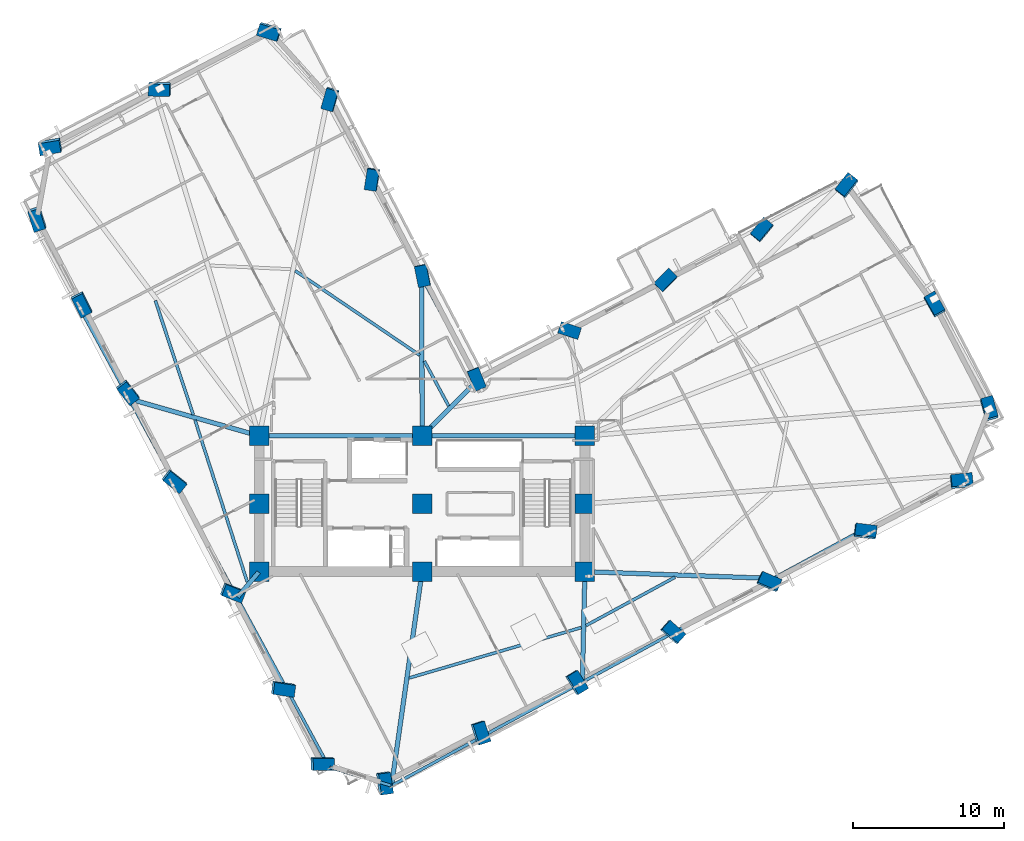
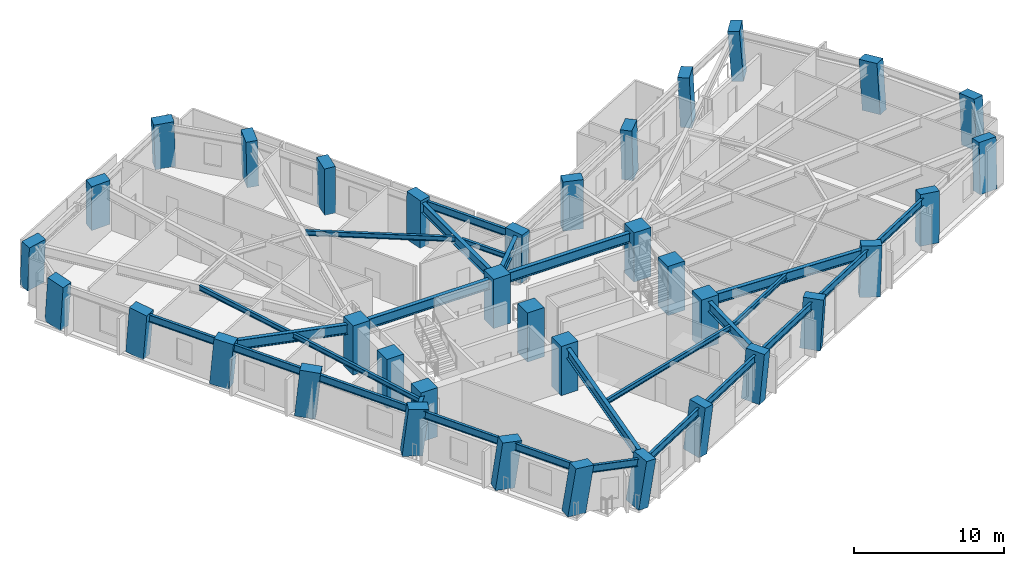
# One storey, part 1 of 16: 36 columns, 27 beams.
"""IFC4 building model written with IfcOpenShell, lengths in metres."""

import ifcopenshell
import ifcopenshell.guid

model = None  # the IFC model being written
_history = None  # IfcOwnerHistory: only IFC2X3 demands one
_inside = {}  # id of a spatial element -> (the spatial element, [elements in it])
_under = {}  # id of a project, library or spatial element -> (it, [spatial elements below it])
_declared = {}  # id of a project -> (the project, [libraries it declares])
_typed = {}  # id of a type object -> (the type object, [elements of that type])
_made_of = {}  # id of a material, layer set ... -> (it, [elements and type objects made of it])


def new_model(schema):
    """Start an empty IFC model of exactly this schema.

    Asked for "IFC4X3", IfcOpenShell would pick the latest addendum, in which some entities
    have other attributes; the version numbers below select the first issue.
    IFC2X3 requires an IfcOwnerHistory on every rooted entity: one is made here for all.
    """
    global model, _history
    if schema == "IFC4X3":
        model = ifcopenshell.file(schema_version=(4, 3, 0, 0))
    else:
        model = ifcopenshell.file(schema=schema)
    _inside.clear()
    _under.clear()
    _declared.clear()
    _typed.clear()
    _made_of.clear()
    _history = None
    if model.schema == "IFC2X3":
        org = make("IfcOrganization", Name="unknown")
        user = make(
            "IfcPersonAndOrganization",
            ThePerson=make("IfcPerson", FamilyName="unknown"),
            TheOrganization=org,
        )
        app = make(
            "IfcApplication",
            ApplicationDeveloper=org,
            Version="unknown",
            ApplicationFullName="unknown",
            ApplicationIdentifier="unknown",
        )
        _history = make(
            "IfcOwnerHistory",
            OwningUser=user,
            OwningApplication=app,
            ChangeAction="ADDED",
            CreationDate=0,
        )
    return model


def make(cls, **values):
    """One entity of the class cls with the attributes given. An attribute that is None is left unset."""
    return model.create_entity(
        cls, **{name: value for name, value in values.items() if value is not None}
    )


def rooted(cls, **values):
    """An entity with a GlobalId (a new one), such as an element, a storey or a relation."""
    return make(cls, GlobalId=ifcopenshell.guid.new(), OwnerHistory=_history, **values)


def si_unit(unit_type, name, prefix=None):
    """IfcSIUnit, for example si_unit("LENGTHUNIT", "METRE", prefix="MILLI")."""
    return make("IfcSIUnit", UnitType=unit_type, Prefix=prefix, Name=name)


def assignment(units):
    """IfcUnitAssignment: the units of a project."""
    return None if units is None else make("IfcUnitAssignment", Units=units)


def point(xyz):
    """IfcCartesianPoint."""
    return None if xyz is None else make("IfcCartesianPoint", Coordinates=xyz)


def direction(xyz):
    """IfcDirection."""
    return None if xyz is None else make("IfcDirection", DirectionRatios=xyz)


def frame(location, z_axis=None, x_axis=None):
    """IfcAxis2Placement3D, a coordinate frame: its origin and axes. An axis left out is left unset."""
    return make(
        "IfcAxis2Placement3D",
        Location=point(location),
        Axis=direction(z_axis),
        RefDirection=direction(x_axis),
    )


def frame_2d(location, x_axis=None):
    """IfcAxis2Placement2D, a coordinate frame in the plane: its origin and x axis."""
    return make(
        "IfcAxis2Placement2D", Location=point(location), RefDirection=direction(x_axis)
    )


def origin():
    """The frame at (0, 0, 0) with its axes left unset."""
    return frame((0.0, 0.0, 0.0))


def origin_2d():
    """The frame at (0, 0) in the plane with its x axis left unset."""
    return frame_2d((0.0, 0.0))


def place(relative_to, where):
    """IfcLocalPlacement: puts the frame where relative to a parent placement (None: the world)."""
    return make(
        "IfcLocalPlacement", PlacementRelTo=relative_to, RelativePlacement=where
    )


def context(
    kind, dimensions, precision=None, world=None, true_north=None, identifier=None
):
    """IfcGeometricRepresentationContext, for example the 3D "Model" context."""
    return make(
        "IfcGeometricRepresentationContext",
        ContextIdentifier=identifier,
        ContextType=kind,
        CoordinateSpaceDimension=dimensions,
        Precision=precision,
        WorldCoordinateSystem=world,
        TrueNorth=true_north,
    )


def subcontext(parent, identifier, kind, view, scale=None):
    """IfcGeometricRepresentationSubContext, for example "Body" below "Model"."""
    return make(
        "IfcGeometricRepresentationSubContext",
        ContextIdentifier=identifier,
        ContextType=kind,
        ParentContext=parent,
        TargetScale=scale,
        TargetView=view,
    )


def project(units=None, contexts=None):
    """IfcProject with its units and contexts."""
    return rooted(
        "IfcProject",
        Name="project",
        RepresentationContexts=contexts,
        UnitsInContext=assignment(units),
    )


def spatial(cls, under=None, at=None, **own):
    """A site, building, storey or space (cls), placed at a placement, below another one or the project."""
    s = rooted(cls, ObjectPlacement=at, **own)
    if under is not None:
        _under.setdefault(under.id(), (under, []))[1].append(s)
    return s


def profile(cls, at=None, kind="AREA", **sizes):
    """A parametric profile (cls). Its sizes go by their IFC names, for example OverallWidth=200.0."""
    return make(cls, ProfileType=kind, Position=at, **sizes)


def rectangle(**sizes):
    """IfcRectangleProfileDef."""
    return profile("IfcRectangleProfileDef", **sizes)


def i_section(**sizes):
    """IfcIShapeProfileDef."""
    return profile("IfcIShapeProfileDef", **sizes)


def extrude(swept, where, along, depth):
    """IfcExtrudedAreaSolid: the profile swept, set in the frame where, extruded along a direction by depth."""
    return make(
        "IfcExtrudedAreaSolid",
        SweptArea=swept,
        Position=where,
        ExtrudedDirection=direction(along),
        Depth=depth,
    )


def shape(context_of_items, identifier, shape_type, items):
    """IfcShapeRepresentation: the items that make up one representation, for example the "Body"."""
    return make(
        "IfcShapeRepresentation",
        ContextOfItems=context_of_items,
        RepresentationIdentifier=identifier,
        RepresentationType=shape_type,
        Items=items,
    )


def material(Name=None, Category=None):
    """IfcMaterial."""
    return make("IfcMaterial", Name=Name, Category=Category)


def material_profile(
    of_material, cross_section, Name=None, Category=None, Priority=None
):
    """IfcMaterialProfile: a cross section and its material."""
    return make(
        "IfcMaterialProfile",
        Name=Name,
        Material=of_material,
        Profile=cross_section,
        Priority=Priority,
        Category=Category,
    )


def profile_set(profiles, Name=None, composite=None):
    """IfcMaterialProfileSet."""
    return make(
        "IfcMaterialProfileSet",
        Name=Name,
        MaterialProfiles=profiles,
        CompositeProfile=composite,
    )


def made_of(thing, what):
    """Note that an element or type object is made of a material, layer set ...; save() writes the relation."""
    if what is not None:
        _made_of.setdefault(what.id(), (what, []))[1].append(thing)
    return thing


def type_object(cls, material=None, **own):
    """A type object (cls), such as IfcWallType, which elements share."""
    return made_of(rooted(cls, **own), material)


def element(
    cls,
    number,
    at=None,
    inside=None,
    cuts=None,
    type_object=None,
    material=None,
    context=None,
    identifier="Body",
    shape_type=None,
    held_by="IfcProductDefinitionShape",
    body=None,
    shapes=None,
    **own,
):
    """One element of the class cls, such as IfcWall. Its Tag is "e" and its number.

    at: its placement. inside: the storey or other place that contains it. cuts: it is an
    opening in that element (IfcRelVoidsElement). A single representation is given by context,
    identifier, shape_type and body (its items); several are given by shapes. held_by: the class
    of the entity that holds the representations. save() writes the other relations.
    """
    e = rooted(cls, Tag="e%d" % number, ObjectPlacement=at, **own)
    if body is not None:
        shapes = [shape(context, identifier, shape_type, body)]
    if shapes is not None:
        e.Representation = make(held_by, Representations=shapes)
    if inside is not None:
        _inside.setdefault(inside.id(), (inside, []))[1].append(e)
    if cuts is not None:
        rooted(
            "IfcRelVoidsElement", RelatingBuildingElement=cuts, RelatedOpeningElement=e
        )
    if type_object is not None:
        _typed.setdefault(type_object.id(), (type_object, []))[1].append(e)
    return made_of(e, material)


def aggregate(whole, parts):
    """IfcRelAggregates: a whole, such as a stair, and the parts it consists of."""
    return rooted("IfcRelAggregates", RelatingObject=whole, RelatedObjects=parts)


def save(model, path):
    """Write the relations noted so far, then the file.

    IfcRelAggregates (storeys below a building ...), IfcRelContainedInSpatialStructure (elements
    in a storey), IfcRelDefinesByType, IfcRelAssociatesMaterial and IfcRelDeclares: one each for
    every whole, place, type object, material and project.
    """
    for whole, parts in _under.values():
        aggregate(whole, parts)
    for where, things in _inside.values():
        rooted(
            "IfcRelContainedInSpatialStructure",
            RelatedElements=things,
            RelatingStructure=where,
        )
    for kind, things in _typed.values():
        rooted("IfcRelDefinesByType", RelatedObjects=things, RelatingType=kind)
    for what, things in _made_of.values():
        rooted("IfcRelAssociatesMaterial", RelatedObjects=things, RelatingMaterial=what)
    for by, libraries in _declared.values():
        rooted("IfcRelDeclares", RelatingContext=by, RelatedDefinitions=libraries)
    model.write(path)


model = new_model("IFC4")

# Units and contexts
model_context = context("Model", 3, precision=1e-05, world=origin(), true_north=direction((0.0, 1.0)))
body_context = subcontext(model_context, "Body", "Model", "MODEL_VIEW")
ifc_project = project(units=[si_unit("LENGTHUNIT", "METRE"), si_unit("AREAUNIT", "SQUARE_METRE"), si_unit("VOLUMEUNIT", "CUBIC_METRE"), si_unit("PLANEANGLEUNIT", "RADIAN"), si_unit("MASSUNIT", "GRAM", prefix="KILO")], contexts=[model_context])

# Site, building, storey
site_placement = place(None, origin())
site = spatial("IfcSite", under=ifc_project, at=site_placement, CompositionType="ELEMENT")
building_placement = place(site_placement, origin())
building = spatial("IfcBuilding", under=site, at=building_placement, Name="Gaonmaruhae Medical Tower", CompositionType="ELEMENT")
storey_placement = place(building_placement, frame((0.0, 0.0, 140.39990234375)))
storey = spatial("IfcBuildingStorey", under=building, at=storey_placement, Name="L33", CompositionType="ELEMENT", Elevation=140.39990234375)

# Columns
ifc_material_1 = material(Name="Concrete C60/75", Category="concrete")
ifc_material_profile_1 = material_profile(ifc_material_1, rectangle(XDim=1.300048828125, YDim=1.300048828125, at=origin_2d()), Name="RC-1300x1300")
ifc_profile_set_1 = profile_set([ifc_material_profile_1], Name="Concrete C60/75")
column_type_1 = type_object("IfcColumnType", Name="CC-03 Zone 2 Core Column (RC-1300x1300)", PredefinedType="COLUMN", material=ifc_profile_set_1)
for number, where, z_axis, x_axis, name in (
    (1, (14.0, 7.800048828125, 0.0), (0.0, 0.0, 1.0), (1.0, 0.0, 0.0), "L33 Plumb Core Column CC11"),
    (2, (14.0, 12.300048828125, 0.0), (0.0, 0.0, 1.0), (1.0, 0.0, 0.0), "L33 Plumb Core Column CC12"),
    (3, (14.0, 16.800048828125, 0.0), (0.0, 0.0, 1.0), (1.0, 0.0, 0.0), "L33 Plumb Core Column CC13"),
    (4, (24.800048828125, 7.800048828125, 0.0), (0.0, 0.0, 1.0), (1.0, 0.0, 0.0), "L33 Plumb Core Column CC21"),
    (5, (24.800048828125, 12.300048828125, 0.0), (0.0, 0.0, 1.0), (1.0, 0.0, 0.0), "L33 Plumb Core Column CC22"),
    (6, (24.800048828125, 16.800048828125, 0.0), (0.0, 0.0, 1.0), (1.0, 0.0, 0.0), "L33 Plumb Core Column CC23"),
    (7, (35.60009765625, 7.800048828125, 0.0), (0.0, 0.0, 1.0), (1.0, 0.0, 0.0), "L33 Plumb Core Column CC31"),
    (8, (35.60009765625, 12.300048828125, 0.0), (0.0, 0.0, 1.0), (1.0, 0.0, 0.0), "L33 Plumb Core Column CC32"),
    (9, (35.60009765625, 16.800048828125, 0.0), (0.0, 0.0, 1.0), (1.0, 0.0, 0.0), "L33 Plumb Core Column CC33"),
):
    element("IfcColumn", number, at=place(storey_placement, frame(where, z_axis=z_axis, x_axis=x_axis)), inside=storey, type_object=column_type_1, Name=name, PredefinedType="COLUMN", context=body_context, shape_type="SweptSolid", body=[
        extrude(rectangle(XDim=1.300048828125, YDim=1.300048828125, at=origin_2d()), origin(), (0.0, 0.0, 1.0), 4.0),
    ])
ifc_material_profile_2 = material_profile(ifc_material_1, rectangle(XDim=1.39990234375, YDim=0.800048828125, at=origin_2d()), Name="RC-1400x800")
ifc_profile_set_2 = profile_set([ifc_material_profile_2], Name="Concrete C60/75")
column_type_2 = type_object("IfcColumnType", Name="TC-02 Mid Raking Tube Pier Column (RC-1400x800)", PredefinedType="COLUMN", material=ifc_profile_set_2)
column_1_placement = place(storey_placement, frame((22.258056640625, -6.212646484375, 0.001953125), z_axis=(0.127771695905, -0.045544227202, 0.990757345213), x_axis=(-0.133960386109, 0.98899867646, 0.0627394048)))
element("IfcColumn", 10, at=column_1_placement, inside=storey, type_object=column_type_2, Name="L33 Perimeter Tube Column S01", PredefinedType="COLUMN", context=body_context, shape_type="SweptSolid", body=[
    extrude(rectangle(XDim=1.39990234375, YDim=0.800048828125, at=origin_2d()), origin(), (0.0, 0.0, 1.0), 3.93994140625),
])
column_2_placement = place(storey_placement, frame((28.6416015625, -2.88232421875, 0.001953125), z_axis=(0.114160529104, -0.019501391902, 0.993270894222), x_axis=(-0.303558811217, 0.951305765388, 0.053566676887)))
element("IfcColumn", 11, at=column_2_placement, inside=storey, type_object=column_type_2, Name="L33 Perimeter Tube Column S02", PredefinedType="COLUMN", context=body_context, shape_type="SweptSolid", body=[
    extrude(rectangle(XDim=1.39990234375, YDim=0.800048828125, at=origin_2d()), origin(), (0.0, 0.0, 1.0), 3.943603515625),
])
column_3_placement = place(storey_placement, frame((35.025146484375, 0.44775390625, 0.001953125), z_axis=(0.10037706971, 0.006741281946, 0.994926629955), x_axis=(-0.518552018438, 0.853779039419, 0.046531237063)))
element("IfcColumn", 12, at=column_3_placement, inside=storey, type_object=column_type_2, Name="L33 Perimeter Tube Column S03", PredefinedType="COLUMN", context=body_context, shape_type="SweptSolid", body=[
    extrude(rectangle(XDim=1.39990234375, YDim=0.800048828125, at=origin_2d()), origin(), (0.0, 0.0, 1.0), 3.947509765625),
])
column_4_placement = place(storey_placement, frame((41.40869140625, 3.778076171875, 0.001953125), z_axis=(0.086534580575, 0.032944951033, 0.995703970348), x_axis=(-0.745854703715, 0.664730498128, 0.042826694996)))
element("IfcColumn", 13, at=column_4_placement, inside=storey, type_object=column_type_2, Name="L33 Perimeter Tube Column S04", PredefinedType="COLUMN", context=body_context, shape_type="SweptSolid", body=[
    extrude(rectangle(XDim=1.39990234375, YDim=0.800048828125, at=origin_2d()), origin(), (0.0, 0.0, 1.0), 3.949951171875),
])
column_5_placement = place(storey_placement, frame((47.792236328125, 7.108154296875, 0.001953125), z_axis=(0.072571888614, 0.059157834245, 0.995607187414), x_axis=(-0.917117173623, 0.396258419421, 0.043305367841)))
element("IfcColumn", 14, at=column_5_placement, inside=storey, type_object=column_type_2, Name="L33 Perimeter Tube Column S05", PredefinedType="COLUMN", context=body_context, shape_type="SweptSolid", body=[
    extrude(rectangle(XDim=1.39990234375, YDim=0.800048828125, at=origin_2d()), origin(), (0.0, 0.0, 1.0), 3.949462890625),
])
column_6_placement = place(storey_placement, frame((54.17578125, 10.4384765625, 0.001953125), z_axis=(0.058518857575, 0.085303916063, 0.994635000999), x_axis=(-0.99135300538, 0.122188130648, 0.047846415258)))
element("IfcColumn", 15, at=column_6_placement, inside=storey, type_object=column_type_2, Name="L33 Perimeter Tube Column S06", PredefinedType="COLUMN", context=body_context, shape_type="SweptSolid", body=[
    extrude(rectangle(XDim=1.39990234375, YDim=0.800048828125, at=origin_2d()), origin(), (0.0, 0.0, 1.0), 3.94677734375),
])
column_7_placement = place(storey_placement, frame((60.559326171875, 13.7685546875, 0.001953125), z_axis=(0.044521459217, 0.111334608723, 0.992785195583), x_axis=(-0.993722335718, -0.097160543866, 0.055459428507)))
element("IfcColumn", 16, at=column_7_placement, inside=storey, type_object=column_type_2, Name="L33 Perimeter Tube Column S07", PredefinedType="COLUMN", context=body_context, shape_type="SweptSolid", body=[
    extrude(rectangle(XDim=1.39990234375, YDim=0.800048828125, at=origin_2d()), origin(), (0.0, 0.0, 1.0), 3.94287109375),
])
column_8_placement = place(storey_placement, frame((62.400146484375, 18.563720703125, 0.001953125), z_axis=(0.02468177893, 0.118746090067, 0.992617839797), x_axis=(0.273747681692, -0.955771527158, 0.107531365855)))
element("IfcColumn", 17, at=column_8_placement, inside=storey, type_object=column_type_2, Name="L33 Perimeter Tube Column E01", PredefinedType="COLUMN", context=body_context, shape_type="SweptSolid", body=[
    extrude(rectangle(XDim=1.39990234375, YDim=0.800048828125, at=origin_2d()), origin(), (0.0, 0.0, 1.0), 3.927001953125),
])
column_9_placement = place(storey_placement, frame((58.79248046875, 25.479248046875, 0.001953125), z_axis=(-0.003662273287, 0.103847173035, 0.994586523339), x_axis=(0.493313659409, -0.864958897802, 0.092128923543)))
element("IfcColumn", 18, at=column_9_placement, inside=storey, type_object=column_type_2, Name="L33 Perimeter Tube Column E02", PredefinedType="COLUMN", context=body_context, shape_type="SweptSolid", body=[
    extrude(rectangle(XDim=1.39990234375, YDim=0.800048828125, at=origin_2d()), origin(), (0.0, 0.0, 1.0), 3.93310546875),
])
column_10_placement = place(storey_placement, frame((52.97607421875, 33.385498046875, 0.001953125), z_axis=(-0.036082650833, 0.07970311571, 0.996165375656), x_axis=(-0.61767271437, -0.785393470644, 0.040466210503)))
element("IfcColumn", 19, at=column_10_placement, inside=storey, type_object=column_type_2, Name="L33 Perimeter Tube Column E03", PredefinedType="COLUMN", context=body_context, shape_type="SweptSolid", body=[
    extrude(rectangle(XDim=1.39990234375, YDim=0.800048828125, at=origin_2d()), origin(), (0.0, 0.0, 1.0), 3.951416015625),
])
column_11_placement = place(storey_placement, frame((47.34619140625, 30.448486328125, 0.001953125), z_axis=(-0.023851012449, 0.056700081274, 0.998106321986), x_axis=(-0.638245426133, -0.769307042223, 0.028450848961)))
element("IfcColumn", 20, at=column_11_placement, inside=storey, type_object=column_type_2, Name="L33 Perimeter Tube Column EN01", PredefinedType="COLUMN", context=body_context, shape_type="SweptSolid", body=[
    extrude(rectangle(XDim=1.39990234375, YDim=0.800048828125, at=origin_2d()), origin(), (0.0, 0.0, 1.0), 3.96142578125),
])
column_12_placement = place(storey_placement, frame((40.962646484375, 27.118408203125, 0.001953125), z_axis=(-0.00988620375, 0.030395471157, 0.999489058624), x_axis=(-0.700144747755, -0.713847868711, 0.014783522186)))
element("IfcColumn", 21, at=column_12_placement, inside=storey, type_object=column_type_2, Name="L33 Perimeter Tube Column EN02", PredefinedType="COLUMN", context=body_context, shape_type="SweptSolid", body=[
    extrude(rectangle(XDim=1.39990234375, YDim=0.800048828125, at=origin_2d()), origin(), (0.0, 0.0, 1.0), 3.975830078125),
])
column_13_placement = place(storey_placement, frame((34.5791015625, 23.7880859375, 0.001953125), z_axis=(0.004158950518, 0.004097789481, 0.999982955481), x_axis=(-0.951725992517, 0.306937033708, 0.00270046399)))
element("IfcColumn", 22, at=column_13_placement, inside=storey, type_object=column_type_2, Name="L33 Perimeter Tube Column EN03", PredefinedType="COLUMN", context=body_context, shape_type="SweptSolid", body=[
    extrude(rectangle(XDim=1.39990234375, YDim=0.800048828125, at=origin_2d()), origin(), (0.0, 0.0, 1.0), 3.99169921875),
])
column_14_placement = place(storey_placement, frame((28.417236328125, 20.573486328125, 0.001953125), z_axis=(0.017686891787, -0.02131024809, 0.999616450037), x_axis=(-0.378280780857, 0.925313820027, 0.026419411466)))
element("IfcColumn", 23, at=column_14_placement, inside=storey, type_object=column_type_2, Name="L33 Perimeter Tube Column KN01", PredefinedType="COLUMN", context=body_context, shape_type="SweptSolid", body=[
    extrude(rectangle(XDim=1.39990234375, YDim=0.800048828125, at=origin_2d()), origin(), (0.0, 0.0, 1.0), 3.975341796875),
])
column_15_placement = place(storey_placement, frame((24.83251953125, 27.444580078125, 0.001953125), z_axis=(-0.01064440471, -0.036363255396, 0.999281947353), x_axis=(-0.194994759245, 0.980228833314, 0.033592829699)))
element("IfcColumn", 24, at=column_15_placement, inside=storey, type_object=column_type_2, Name="L33 Perimeter Tube Column NE01", PredefinedType="COLUMN", context=body_context, shape_type="SweptSolid", body=[
    extrude(rectangle(XDim=1.39990234375, YDim=0.800048828125, at=origin_2d()), origin(), (0.0, 0.0, 1.0), 3.968017578125),
])
column_16_placement = place(storey_placement, frame((21.50244140625, 33.828369140625, 0.001953125), z_axis=(-0.036932649589, -0.050396391412, 0.998046182863), x_axis=(0.149987895413, 0.987134715444, 0.055395710969)))
element("IfcColumn", 25, at=column_16_placement, inside=storey, type_object=column_type_2, Name="L33 Perimeter Tube Column NE02", PredefinedType="COLUMN", context=body_context, shape_type="SweptSolid", body=[
    extrude(rectangle(XDim=1.39990234375, YDim=0.800048828125, at=origin_2d()), origin(), (0.0, 0.0, 1.0), 3.953125),
])
column_17_placement = place(storey_placement, frame((18.727294921875, 39.14794921875, 0.001953125), z_axis=(-0.058783551583, -0.061942625482, 0.996347130879), x_axis=(0.272586926496, 0.959147545124, 0.075712311991)))
element("IfcColumn", 26, at=column_17_placement, inside=storey, type_object=column_type_2, Name="L33 Perimeter Tube Column NE03", PredefinedType="COLUMN", context=body_context, shape_type="SweptSolid", body=[
    extrude(rectangle(XDim=1.39990234375, YDim=0.800048828125, at=origin_2d()), origin(), (0.0, 0.0, 1.0), 3.94140625),
])
column_18_placement = place(storey_placement, frame((14.69140625, 43.640625, 0.001953125), z_axis=(-0.076984912261, -0.078532036704, 0.993934626872), x_axis=(0.954951007688, -0.292371934535, 0.050864769855)))
element("IfcColumn", 27, at=column_18_placement, inside=storey, type_object=column_type_2, Name="L33 Perimeter Tube Column N01", PredefinedType="COLUMN", context=body_context, shape_type="SweptSolid", body=[
    extrude(rectangle(XDim=1.39990234375, YDim=0.800048828125, at=origin_2d()), origin(), (0.0, 0.0, 1.0), 3.945068359375),
])
column_19_placement = place(storey_placement, frame((7.42138671875, 39.847900390625, 0.001953125), z_axis=(-0.06100607157, -0.108138681178, 0.992262205702), x_axis=(0.9977035928, -0.035912424695, 0.057426811397)))
element("IfcColumn", 28, at=column_19_placement, inside=storey, type_object=column_type_2, Name="L33 Perimeter Tube Column N02", PredefinedType="COLUMN", context=body_context, shape_type="SweptSolid", body=[
    extrude(rectangle(XDim=1.39990234375, YDim=0.800048828125, at=origin_2d()), origin(), (0.0, 0.0, 1.0), 3.94189453125),
])
column_20_placement = place(storey_placement, frame((0.151123046875, 36.05517578125, 0.001953125), z_axis=(-0.044998626594, -0.137537124536, 0.98947393244), x_axis=(0.984963379372, 0.15927090935, 0.066932195018)))
element("IfcColumn", 29, at=column_20_placement, inside=storey, type_object=column_type_2, Name="L33 Perimeter Tube Column N03", PredefinedType="COLUMN", context=body_context, shape_type="SweptSolid", body=[
    extrude(rectangle(XDim=1.39990234375, YDim=0.800048828125, at=origin_2d()), origin(), (0.0, 0.0, 1.0), 3.93896484375),
])
column_21_placement = place(storey_placement, frame((-0.72802734375, 31.254150390625, 0.001953125), z_axis=(-0.025282213197, -0.141044859338, 0.98968033089), x_axis=(-0.300450006372, 0.945298620411, 0.127044527317)))
element("IfcColumn", 30, at=column_21_placement, inside=storey, type_object=column_type_2, Name="L33 Perimeter Tube Column W01", PredefinedType="COLUMN", context=body_context, shape_type="SweptSolid", body=[
    extrude(rectangle(XDim=1.39990234375, YDim=0.800048828125, at=origin_2d()), origin(), (0.0, 0.0, 1.0), 3.920654296875),
])
column_22_placement = place(storey_placement, frame((2.232177734375, 25.580078125, 0.001953125), z_axis=(-0.00211503443, -0.129017100255, 0.991640113384), x_axis=(-0.448049256138, 0.886658806791, 0.114402903869)))
element("IfcColumn", 31, at=column_22_placement, inside=storey, type_object=column_type_2, Name="L33 Perimeter Tube Column W02", PredefinedType="COLUMN", context=body_context, shape_type="SweptSolid", body=[
    extrude(rectangle(XDim=1.39990234375, YDim=0.800048828125, at=origin_2d()), origin(), (0.0, 0.0, 1.0), 3.924560546875),
])
column_23_placement = place(storey_placement, frame((5.284912109375, 19.728271484375, 0.001953125), z_axis=(0.021879443382, -0.116358857988, 0.992966216004), x_axis=(-0.617245268463, 0.779736515973, 0.104972587944)))
element("IfcColumn", 32, at=column_23_placement, inside=storey, type_object=column_type_2, Name="L33 Perimeter Tube Column W03", PredefinedType="COLUMN", context=body_context, shape_type="SweptSolid", body=[
    extrude(rectangle(XDim=1.39990234375, YDim=0.800048828125, at=origin_2d()), origin(), (0.0, 0.0, 1.0), 3.927734375),
])
column_24_placement = place(storey_placement, frame((8.36083984375, 13.83251953125, 0.001953125), z_axis=(0.046037098105, -0.103567938652, 0.993556373681), x_axis=(-0.780457920553, 0.617080020514, 0.100487225696)))
element("IfcColumn", 33, at=column_24_placement, inside=storey, type_object=column_type_2, Name="L33 Perimeter Tube Column W04", PredefinedType="COLUMN", context=body_context, shape_type="SweptSolid", body=[
    extrude(rectangle(XDim=1.39990234375, YDim=0.800048828125, at=origin_2d()), origin(), (0.0, 0.0, 1.0), 3.9296875),
])
column_25_placement = place(storey_placement, frame((12.222900390625, 6.42919921875, 0.001953125), z_axis=(0.076374665405, -0.087374108673, 0.993243512749), x_axis=(-0.927793591428, 0.358626201607, 0.10288974306)))
element("IfcColumn", 34, at=column_25_placement, inside=storey, type_object=column_type_2, Name="L33 Perimeter Tube Column W05", PredefinedType="COLUMN", context=body_context, shape_type="SweptSolid", body=[
    extrude(rectangle(XDim=1.39990234375, YDim=0.800048828125, at=origin_2d()), origin(), (0.0, 0.0, 1.0), 3.9287109375),
])
column_26_placement = place(storey_placement, frame((15.55322265625, 0.045654296875, 0.001953125), z_axis=(0.102375962353, -0.073330048368, 0.99203924637), x_axis=(-0.984375649238, 0.136157744877, 0.111649673972)))
element("IfcColumn", 35, at=column_26_placement, inside=storey, type_object=column_type_2, Name="L33 Perimeter Tube Column W06", PredefinedType="COLUMN", context=body_context, shape_type="SweptSolid", body=[
    extrude(rectangle(XDim=1.39990234375, YDim=0.800048828125, at=origin_2d()), origin(), (0.0, 0.0, 1.0), 3.92529296875),
])
column_27_placement = place(storey_placement, frame((18.143310546875, -4.919189453125, 0.001953125), z_axis=(0.122505526008, -0.062435489119, 0.990501996866), x_axis=(-0.992452129489, -0.013320566866, 0.121907067764)))
element("IfcColumn", 36, at=column_27_placement, inside=storey, type_object=column_type_2, Name="L33 Perimeter Tube Column W07", PredefinedType="COLUMN", context=body_context, shape_type="SweptSolid", body=[
    extrude(rectangle(XDim=1.39990234375, YDim=0.800048828125, at=origin_2d()), origin(), (0.0, 0.0, 1.0), 3.922119140625),
])

# Beams
ifc_material_2 = material(Name="Steel SM355", Category="steel")
ifc_material_profile_3 = material_profile(ifc_material_2, i_section(OverallWidth=0.199951171875, OverallDepth=0.39990234375, WebThickness=0.008056640625, FlangeThickness=0.012939453125, FilletRadius=0.012939453125, at=origin_2d()), Name="H-400x200x8x13")
ifc_profile_set_3 = profile_set([ifc_material_profile_3], Name="Steel SM355")
beam_type_1 = type_object("IfcBeamType", Name="FJ-01 Lower Zone Ward Floor Joist (H-400x200x8x13)", PredefinedType="JOIST", material=ifc_profile_set_3)
beam_1_placement = place(storey_placement, frame((23.95068359375, 0.749755859375, 3.5), z_axis=(0.959669445032, 0.281130852578, 0.0), x_axis=(-0.281130852578, 0.959669445032, 0.0)))
element("IfcBeam", 37, at=beam_1_placement, inside=storey, type_object=beam_type_1, Name="L33 Secondary Floor Joist FJ01", PredefinedType="JOIST", context=body_context, shape_type="SweptSolid", body=[
    extrude(i_section(OverallWidth=0.199951171875, OverallDepth=0.39990234375, WebThickness=0.008056640625, FlangeThickness=0.012939453125, FilletRadius=0.012939453125, at=origin_2d()), origin(), (0.0, 0.0, 1.0), 11.88623046875),
])
beam_2_placement = place(storey_placement, frame((35.671630859375, 4.22265625, 3.5), z_axis=(0.878803376827, 0.477184057653, 0.0), x_axis=(-0.477184057653, 0.878803376827, 0.0)))
element("IfcBeam", 38, at=beam_2_placement, inside=storey, type_object=beam_type_1, Name="L33 Secondary Floor Joist FJ02", PredefinedType="JOIST", context=body_context, shape_type="SweptSolid", body=[
    extrude(i_section(OverallWidth=0.199951171875, OverallDepth=0.39990234375, WebThickness=0.008056640625, FlangeThickness=0.012939453125, FilletRadius=0.012939453125, at=origin_2d()), origin(), (0.0, 0.0, 1.0), 6.72021484375),
])
beam_3_placement = place(storey_placement, frame((26.56640625, 18.786865234375, 3.5), z_axis=(-0.477161754631, 0.878815486844, 0.0), x_axis=(-0.878815486844, -0.477161754631, 0.0)))
element("IfcBeam", 39, at=beam_3_placement, inside=storey, type_object=beam_type_1, Name="L33 Secondary Floor Joist FJ09", PredefinedType="JOIST", context=body_context, shape_type="SweptSolid", body=[
    extrude(i_section(OverallWidth=0.199951171875, OverallDepth=0.39990234375, WebThickness=0.008056640625, FlangeThickness=0.012939453125, FilletRadius=0.012939453125, at=origin_2d()), origin(), (0.0, 0.0, 1.0), 3.391845703125),
])
beam_4_placement = place(storey_placement, frame((24.639892578125, 22.15478515625, 3.5), z_axis=(-0.827523289213, 0.561431390118, 0.0), x_axis=(-0.561431390118, -0.827523289213, 0.0)))
element("IfcBeam", 40, at=beam_4_placement, inside=storey, type_object=beam_type_1, Name="L33 Secondary Floor Joist FJ10", PredefinedType="JOIST", context=body_context, shape_type="SweptSolid", body=[
    extrude(i_section(OverallWidth=0.199951171875, OverallDepth=0.39990234375, WebThickness=0.008056640625, FlangeThickness=0.012939453125, FilletRadius=0.012939453125, at=origin_2d()), origin(), (0.0, 0.0, 1.0), 9.97509765625),
])
beam_5_placement = place(storey_placement, frame((7.111083984375, 25.76953125, 3.5), z_axis=(0.315731424561, -0.948848600961, 0.0), x_axis=(0.948848600961, 0.315731424561, 0.0)))
element("IfcBeam", 41, at=beam_5_placement, inside=storey, type_object=beam_type_1, Name="L33 Secondary Floor Joist FJ13", PredefinedType="JOIST", context=body_context, shape_type="SweptSolid", body=[
    extrude(i_section(OverallWidth=0.199951171875, OverallDepth=0.39990234375, WebThickness=0.008056640625, FlangeThickness=0.012939453125, FilletRadius=0.012939453125, at=origin_2d()), origin(), (0.0, 0.0, 1.0), 7.96923828125),
])
beam_6_placement = place(storey_placement, frame((9.74365234375, 17.8525390625, 3.5), z_axis=(0.307075465547, -0.951685167721, 0.0), x_axis=(0.951685167721, 0.307075465547, 0.0)))
element("IfcBeam", 42, at=beam_6_placement, inside=storey, type_object=beam_type_1, Name="L33 Secondary Floor Joist FJ14", PredefinedType="JOIST", context=body_context, shape_type="SweptSolid", body=[
    extrude(i_section(OverallWidth=0.199951171875, OverallDepth=0.39990234375, WebThickness=0.008056640625, FlangeThickness=0.012939453125, FilletRadius=0.012939453125, at=origin_2d()), origin(), (0.0, 0.0, 1.0), 11.28564453125),
])
ifc_material_3 = material(Name="Steel SM420", Category="steel")
ifc_material_profile_4 = material_profile(ifc_material_3, i_section(OverallWidth=0.300048828125, OverallDepth=0.800048828125, WebThickness=0.013916015625, FlangeThickness=0.02587890625, FilletRadius=0.01806640625, at=origin_2d()), Name="H-800x300x14x26")
ifc_profile_set_4 = profile_set([ifc_material_profile_4], Name="Steel SM420")
beam_type_2 = type_object("IfcBeamType", Name="PG-02 Zone 2 Radial Floor Girder (H-800x300x14x26)", PredefinedType="BEAM", material=ifc_profile_set_4)
for number, where, z_axis, x_axis, name in (
    (43, (14.050048828125, 16.800048828125, 3.300048828125), (1.0, 0.0, 0.0), (0.0, 1.0, 0.0), "L33 Beam BM-L33-CG-N1"),
    (44, (24.85009765625, 16.800048828125, 3.300048828125), (1.0, 0.0, 0.0), (0.0, 1.0, 0.0), "L33 Beam BM-L33-CG-N2"),
):
    element("IfcBeam", number, at=place(storey_placement, frame(where, z_axis=z_axis, x_axis=x_axis)), inside=storey, type_object=beam_type_2, Name=name, PredefinedType="BEAM", context=body_context, shape_type="SweptSolid", body=[
        extrude(i_section(OverallWidth=0.300048828125, OverallDepth=0.800048828125, WebThickness=0.013916015625, FlangeThickness=0.02587890625, FilletRadius=0.01806640625, at=origin_2d()), origin(), (0.0, 0.0, 1.0), 10.699951171875),
    ])
beam_7_placement = place(storey_placement, frame((24.79296875, 7.75048828125, 3.300048828125), z_axis=(-0.141303744988, -0.989966288139, 0.0), x_axis=(0.989966288139, -0.141303744988, 0.0)))
element("IfcBeam", 45, at=beam_7_placement, inside=storey, type_object=beam_type_2, Name="L33 Radial Primary Girder S01", PredefinedType="BEAM", context=body_context, shape_type="SweptSolid", body=[
    extrude(i_section(OverallWidth=0.300048828125, OverallDepth=0.800048828125, WebThickness=0.013916015625, FlangeThickness=0.02587890625, FilletRadius=0.01806640625, at=origin_2d()), origin(), (0.0, 0.0, 1.0), 14.240234375),
])
beam_8_placement = place(storey_placement, frame((35.598876953125, 7.75, 3.300048828125), z_axis=(-0.023409700527, -0.99972595541, 0.0), x_axis=(0.99972595541, -0.023409700527, 0.0)))
element("IfcBeam", 46, at=beam_8_placement, inside=storey, type_object=beam_type_2, Name="L33 Radial Primary Girder S03", PredefinedType="BEAM", context=body_context, shape_type="SweptSolid", body=[
    extrude(i_section(OverallWidth=0.300048828125, OverallDepth=0.800048828125, WebThickness=0.013916015625, FlangeThickness=0.02587890625, FilletRadius=0.01806640625, at=origin_2d()), origin(), (0.0, 0.0, 1.0), 7.227294921875),
])
beam_9_placement = place(storey_placement, frame((35.64990234375, 7.798095703125, 3.300048828125), z_axis=(0.999339146668, -0.036349276981, 0.0), x_axis=(0.036349276981, 0.999339146668, 0.0)))
element("IfcBeam", 47, at=beam_9_placement, inside=storey, type_object=beam_type_2, Name="L33 Radial Primary Girder S05", PredefinedType="BEAM", context=body_context, shape_type="SweptSolid", body=[
    extrude(i_section(OverallWidth=0.300048828125, OverallDepth=0.800048828125, WebThickness=0.013916015625, FlangeThickness=0.02587890625, FilletRadius=0.01806640625, at=origin_2d()), origin(), (0.0, 0.0, 1.0), 12.39208984375),
])
beam_10_placement = place(storey_placement, frame((24.83544921875, 16.83544921875, 3.300048828125), z_axis=(0.707082918644, 0.707130642923, 0.0), x_axis=(-0.707130642923, 0.707082918644, 0.0)))
element("IfcBeam", 48, at=beam_10_placement, inside=storey, type_object=beam_type_2, Name="L33 Radial Primary Girder KN01", PredefinedType="BEAM", context=body_context, shape_type="SweptSolid", body=[
    extrude(i_section(OverallWidth=0.300048828125, OverallDepth=0.800048828125, WebThickness=0.013916015625, FlangeThickness=0.02587890625, FilletRadius=0.01806640625, at=origin_2d()), origin(), (0.0, 0.0, 1.0), 5.11572265625),
])
beam_11_placement = place(storey_placement, frame((24.800048828125, 16.85009765625, 3.300048828125), z_axis=(-0.000962576443, 0.999999536723, 0.0), x_axis=(-0.999999536723, -0.000962576443, 0.0)))
element("IfcBeam", 49, at=beam_11_placement, inside=storey, type_object=beam_type_2, Name="L33 Radial Primary Girder NE01", PredefinedType="BEAM", context=body_context, shape_type="SweptSolid", body=[
    extrude(i_section(OverallWidth=0.300048828125, OverallDepth=0.800048828125, WebThickness=0.013916015625, FlangeThickness=0.02587890625, FilletRadius=0.01806640625, at=origin_2d()), origin(), (0.0, 0.0, 1.0), 10.39892578125),
])
beam_12_placement = place(storey_placement, frame((13.951904296875, 16.813720703125, 3.300048828125), z_axis=(-0.961674391058, 0.274194029079, 0.0), x_axis=(-0.274194029079, -0.961674391058, 0.0)))
element("IfcBeam", 50, at=beam_12_placement, inside=storey, type_object=beam_type_2, Name="L33 Radial Primary Girder W03", PredefinedType="BEAM", context=body_context, shape_type="SweptSolid", body=[
    extrude(i_section(OverallWidth=0.300048828125, OverallDepth=0.800048828125, WebThickness=0.013916015625, FlangeThickness=0.02587890625, FilletRadius=0.01806640625, at=origin_2d()), origin(), (0.0, 0.0, 1.0), 8.87109375),
])
beam_13_placement = place(storey_placement, frame((13.967529296875, 7.761962890625, 3.300048828125), z_axis=(-0.64906182937, -0.760735658198, 0.0), x_axis=(0.760735658198, -0.64906182937, 0.0)))
element("IfcBeam", 51, at=beam_13_placement, inside=storey, type_object=beam_type_2, Name="L33 Radial Primary Girder W05", PredefinedType="BEAM", context=body_context, shape_type="SweptSolid", body=[
    extrude(i_section(OverallWidth=0.300048828125, OverallDepth=0.800048828125, WebThickness=0.013916015625, FlangeThickness=0.02587890625, FilletRadius=0.01806640625, at=origin_2d()), origin(), (0.0, 0.0, 1.0), 2.164306640625),
])
ifc_material_profile_5 = material_profile(ifc_material_2, i_section(OverallWidth=0.199951171875, OverallDepth=0.60009765625, WebThickness=0.010986328125, FlangeThickness=0.01708984375, FilletRadius=0.012939453125, at=origin_2d()), Name="H-600x200x11x17")
ifc_profile_set_5 = profile_set([ifc_material_profile_5], Name="Steel SM355")
beam_type_3 = type_object("IfcBeamType", Name="SP-01 Lower Perimeter Spandrel Beam (H-600x200x11x17)", PredefinedType="SPANDREL", material=ifc_profile_set_5)
beam_14_placement = place(storey_placement, frame((22.808837890625, -6.377197265625, 3.400146484375), z_axis=(0.878823031399, 0.477147859141, 0.0), x_axis=(-0.477147859141, 0.878823031399, 0.0)))
element("IfcBeam", 52, at=beam_14_placement, inside=storey, type_object=beam_type_3, Name="L33 Perimeter Spandrel Beam S01-S02", PredefinedType="SPANDREL", context=body_context, shape_type="SweptSolid", body=[
    extrude(i_section(OverallWidth=0.199951171875, OverallDepth=0.60009765625, WebThickness=0.010986328125, FlangeThickness=0.01708984375, FilletRadius=0.012939453125, at=origin_2d()), origin(), (0.0, 0.0, 1.0), 7.119873046875),
])
beam_15_placement = place(storey_placement, frame((29.13623046875, -2.941650390625, 3.400146484375), z_axis=(0.878830837894, 0.477133480659, 0.0), x_axis=(-0.477133480659, 0.878830837894, 0.0)))
element("IfcBeam", 53, at=beam_15_placement, inside=storey, type_object=beam_type_3, Name="L33 Perimeter Spandrel Beam S02-S03", PredefinedType="SPANDREL", context=body_context, shape_type="SweptSolid", body=[
    extrude(i_section(OverallWidth=0.199951171875, OverallDepth=0.60009765625, WebThickness=0.010986328125, FlangeThickness=0.01708984375, FilletRadius=0.012939453125, at=origin_2d()), origin(), (0.0, 0.0, 1.0), 7.1201171875),
])
for number, where, z_axis, x_axis, name in (
    (54, (35.4638671875, 0.493896484375, 3.400146484375), (0.878823031399, 0.477147859141, 0.0), (-0.477147859141, 0.878823031399, 0.0), "L33 Perimeter Spandrel Beam S03-S04"),
    (55, (41.791259765625, 3.929443359375, 3.400146484375), (0.878823031399, 0.477147859141, 0.0), (-0.477147859141, 0.878823031399, 0.0), "L33 Perimeter Spandrel Beam S04-S05"),
):
    element("IfcBeam", number, at=place(storey_placement, frame(where, z_axis=z_axis, x_axis=x_axis)), inside=storey, type_object=beam_type_3, Name=name, PredefinedType="SPANDREL", context=body_context, shape_type="SweptSolid", body=[
        extrude(i_section(OverallWidth=0.199951171875, OverallDepth=0.60009765625, WebThickness=0.010986328125, FlangeThickness=0.01708984375, FilletRadius=0.012939453125, at=origin_2d()), origin(), (0.0, 0.0, 1.0), 7.119873046875),
    ])
beam_16_placement = place(storey_placement, frame((48.11865234375, 7.364990234375, 3.400146484375), z_axis=(0.878830837894, 0.477133480659, 0.0), x_axis=(-0.477133480659, 0.878830837894, 0.0)))
element("IfcBeam", 56, at=beam_16_placement, inside=storey, type_object=beam_type_3, Name="L33 Perimeter Spandrel Beam S05-S06", PredefinedType="SPANDREL", context=body_context, shape_type="SweptSolid", body=[
    extrude(i_section(OverallWidth=0.199951171875, OverallDepth=0.60009765625, WebThickness=0.010986328125, FlangeThickness=0.01708984375, FilletRadius=0.012939453125, at=origin_2d()), origin(), (0.0, 0.0, 1.0), 7.1201171875),
])
beam_17_placement = place(storey_placement, frame((28.46875, 20.5234375, 3.400146484375), z_axis=(-0.477147355546, 0.878823304821, 0.0), x_axis=(-0.878823304821, -0.477147355546, 0.0)))
element("IfcBeam", 57, at=beam_17_placement, inside=storey, type_object=beam_type_3, Name="L33 Perimeter Spandrel Beam KN01-NE01", PredefinedType="SPANDREL", context=body_context, shape_type="SweptSolid", body=[
    extrude(i_section(OverallWidth=0.199951171875, OverallDepth=0.60009765625, WebThickness=0.010986328125, FlangeThickness=0.01708984375, FilletRadius=0.012939453125, at=origin_2d()), origin(), (0.0, 0.0, 1.0), 7.669921875),
])
beam_18_placement = place(storey_placement, frame((2.24267578125, 25.02490234375, 3.400146484375), z_axis=(0.477153836194, -0.878819786194, 0.0), x_axis=(0.878819786194, 0.477153836194, 0.0)))
element("IfcBeam", 58, at=beam_18_placement, inside=storey, type_object=beam_type_3, Name="L33 Perimeter Spandrel Beam W02-W03", PredefinedType="SPANDREL", context=body_context, shape_type="SweptSolid", body=[
    extrude(i_section(OverallWidth=0.199951171875, OverallDepth=0.60009765625, WebThickness=0.010986328125, FlangeThickness=0.01708984375, FilletRadius=0.012939453125, at=origin_2d()), origin(), (0.0, 0.0, 1.0), 6.52001953125),
])
beam_19_placement = place(storey_placement, frame((5.39208984375, 19.224609375, 3.400146484375), z_axis=(0.477148447062, -0.878822712193, 0.0), x_axis=(0.878822712193, 0.477148447062, 0.0)))
element("IfcBeam", 59, at=beam_19_placement, inside=storey, type_object=beam_type_3, Name="L33 Perimeter Spandrel Beam W03-W04", PredefinedType="SPANDREL", context=body_context, shape_type="SweptSolid", body=[
    extrude(i_section(OverallWidth=0.199951171875, OverallDepth=0.60009765625, WebThickness=0.010986328125, FlangeThickness=0.01708984375, FilletRadius=0.012939453125, at=origin_2d()), origin(), (0.0, 0.0, 1.0), 6.56982421875),
])
beam_20_placement = place(storey_placement, frame((8.565185546875, 13.380615234375, 3.400146484375), z_axis=(0.477153100803, -0.878820185473, 0.0), x_axis=(0.878820185473, 0.477153100803, 0.0)))
element("IfcBeam", 60, at=beam_20_placement, inside=storey, type_object=beam_type_3, Name="L33 Perimeter Spandrel Beam W04-W05", PredefinedType="SPANDREL", context=body_context, shape_type="SweptSolid", body=[
    extrude(i_section(OverallWidth=0.199951171875, OverallDepth=0.60009765625, WebThickness=0.010986328125, FlangeThickness=0.01708984375, FilletRadius=0.012939453125, at=origin_2d()), origin(), (0.0, 0.0, 1.0), 8.27001953125),
])
beam_21_placement = place(storey_placement, frame((12.54931640625, 6.04248046875, 3.400146484375), z_axis=(0.477159963014, -0.878816459619, 0.0), x_axis=(0.878816459619, 0.477159963014, 0.0)))
element("IfcBeam", 61, at=beam_21_placement, inside=storey, type_object=beam_type_3, Name="L33 Perimeter Spandrel Beam W05-W06", PredefinedType="SPANDREL", context=body_context, shape_type="SweptSolid", body=[
    extrude(i_section(OverallWidth=0.199951171875, OverallDepth=0.60009765625, WebThickness=0.010986328125, FlangeThickness=0.01708984375, FilletRadius=0.012939453125, at=origin_2d()), origin(), (0.0, 0.0, 1.0), 7.1201171875),
])
beam_22_placement = place(storey_placement, frame((15.98486328125, -0.28515625, 3.400146484375), z_axis=(0.477174822951, -0.878808391142, 0.0), x_axis=(0.878808391142, 0.477174822951, 0.0)))
element("IfcBeam", 62, at=beam_22_placement, inside=storey, type_object=beam_type_3, Name="L33 Perimeter Spandrel Beam W06-W07", PredefinedType="SPANDREL", context=body_context, shape_type="SweptSolid", body=[
    extrude(i_section(OverallWidth=0.199951171875, OverallDepth=0.60009765625, WebThickness=0.010986328125, FlangeThickness=0.01708984375, FilletRadius=0.012939453125, at=origin_2d()), origin(), (0.0, 0.0, 1.0), 5.52001953125),
])
beam_23_placement = place(storey_placement, frame((18.67626953125, -5.1826171875, 3.400146484375), z_axis=(0.958817309529, -0.284023532385, 0.0), x_axis=(0.284023532385, 0.958817309529, 0.0)))
element("IfcBeam", 63, at=beam_23_placement, inside=storey, type_object=beam_type_3, Name="L33 Perimeter Spandrel Beam W07-S01", PredefinedType="SPANDREL", context=body_context, shape_type="SweptSolid", body=[
    extrude(i_section(OverallWidth=0.199951171875, OverallDepth=0.60009765625, WebThickness=0.010986328125, FlangeThickness=0.01708984375, FilletRadius=0.012939453125, at=origin_2d()), origin(), (0.0, 0.0, 1.0), 4.2333984375),
])

save(model, "model.ifc")
